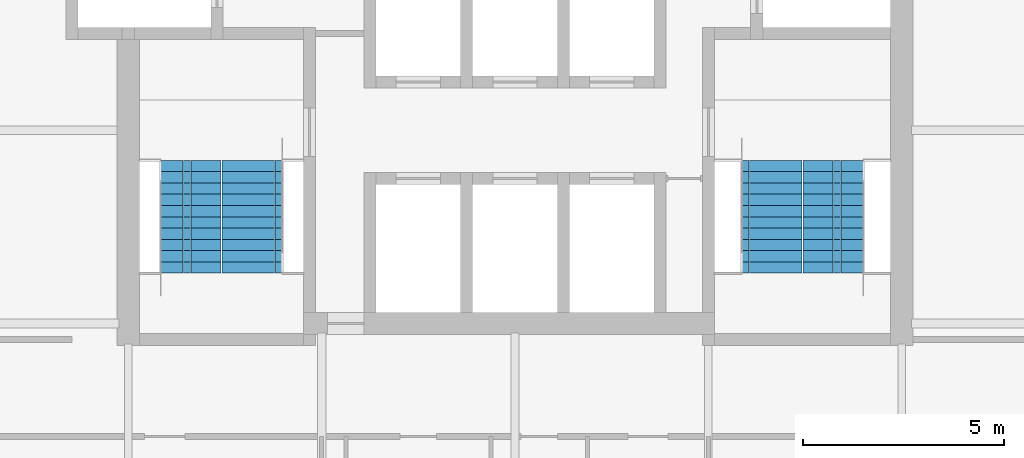
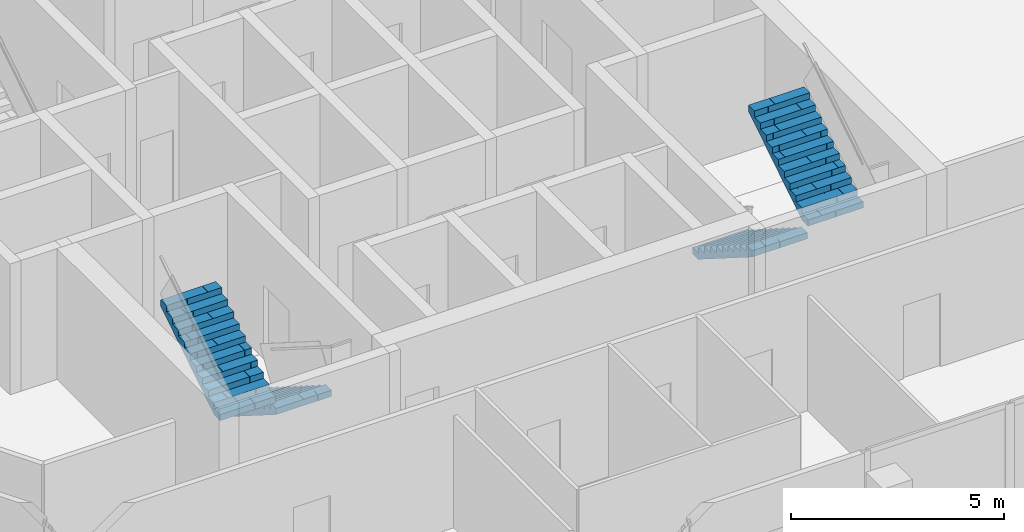
# One storey, part 13 of 16: 4 stair flights, 2 elements without a shape of their own.
"""IFC4 building model written with IfcOpenShell, lengths in metres."""

from ifc_helpers import new_model, si_unit, direction, frame, origin, place, context, subcontext, project, spatial, polyline, outline, extrude, material, type_object, element, aggregate, save


model = new_model("IFC4")

# Units and contexts
model_context = context("Model", 3, precision=1e-05, world=origin(), true_north=direction((0.0, 1.0)))
body_context = subcontext(model_context, "Body", "Model", "MODEL_VIEW")
ifc_project = project(units=[si_unit("LENGTHUNIT", "METRE"), si_unit("AREAUNIT", "SQUARE_METRE"), si_unit("VOLUMEUNIT", "CUBIC_METRE"), si_unit("PLANEANGLEUNIT", "RADIAN"), si_unit("MASSUNIT", "GRAM", prefix="KILO")], contexts=[model_context])

# Site, building, storey
site_placement = place(None, origin())
site = spatial("IfcSite", under=ifc_project, at=site_placement, CompositionType="ELEMENT")
building_placement = place(site_placement, origin())
building = spatial("IfcBuilding", under=site, at=building_placement, Name="Kolab Exchange Tower", CompositionType="ELEMENT")
storey_placement = place(building_placement, frame((0.0, 0.0, 269.60009765625)))
storey = spatial("IfcBuildingStorey", under=building, at=storey_placement, Name="L60", CompositionType="ELEMENT", Elevation=269.60009765625)

# Stair, stair flights
ifc_material = material(Name="Concrete C50/60", Category="concrete")
stair_type_1 = type_object("IfcStairType", Name="STAIR ST3 RISER 177.3", PredefinedType="HALF_TURN_STAIR", material=ifc_material)
stair_1_placement = place(storey_placement, origin())
stair_1 = element("IfcStair", 1, at=stair_1_placement, inside=storey, type_object=stair_type_1, Name="Stair 3", PredefinedType="HALF_TURN_STAIR")
stair_flight_type = type_object("IfcStairFlightType", Name="STAIR FLIGHT 1500 RISER 177.3", PredefinedType="STRAIGHT", material=ifc_material)
stair_flight_1_placement = place(storey_placement, frame((-6.527587890625, -5.550048828125, 0.0), z_axis=(0.0, 0.0, 1.0), x_axis=(0.0, -1.0, 0.0)))
stair_flight_1 = element("IfcStairFlight", 2, at=stair_flight_1_placement, type_object=stair_flight_type, Name="ST3 flight 1", NumberOfRisers=11, NumberOfTreads=10, PredefinedType="STRAIGHT", RiserHeight=0.177272727, TreadLength=0.28, context=body_context, shape_type="SweptSolid", body=[
    extrude(outline(polyline([(0.0, 0.0), (0.0, 0.17724609375), (0.280029296875, 0.17724609375), (0.280029296875, 0.3544921875), (0.56005859375, 0.3544921875), (0.56005859375, 0.53173828125), (0.840087890625, 0.53173828125), (0.840087890625, 0.708984375), (1.1201171875, 0.708984375), (1.1201171875, 0.886474609375), (1.39990234375, 0.886474609375), (1.39990234375, 1.063720703125), (1.679931640625, 1.063720703125), (1.679931640625, 1.240966796875), (1.9599609375, 1.240966796875), (1.9599609375, 1.418212890625), (2.239990234375, 1.418212890625), (2.239990234375, 1.595458984375), (2.52001953125, 1.595458984375), (2.52001953125, 1.772705078125), (2.800048828125, 1.772705078125), (2.800048828125, 1.949951171875), (2.800048828125, 1.59521484375), (0.2802734375, 0.0), (0.0, 0.0)])), frame((0.0, 0.75, 0.0), z_axis=(0.0, -1.0, 0.0), x_axis=(1.0, 0.0, 0.0)), (0.0, 0.0, 1.0), 0.185791015625),
    extrude(outline(polyline([(0.0, 0.0), (0.0, 0.17724609375), (0.280029296875, 0.17724609375), (0.280029296875, 0.3544921875), (0.56005859375, 0.3544921875), (0.56005859375, 0.53173828125), (0.840087890625, 0.53173828125), (0.840087890625, 0.708984375), (1.1201171875, 0.708984375), (1.1201171875, 0.886474609375), (1.39990234375, 0.886474609375), (1.39990234375, 1.063720703125), (1.679931640625, 1.063720703125), (1.679931640625, 1.240966796875), (1.9599609375, 1.240966796875), (1.9599609375, 1.418212890625), (2.239990234375, 1.418212890625), (2.239990234375, 1.595458984375), (2.52001953125, 1.595458984375), (2.52001953125, 1.772705078125), (2.800048828125, 1.772705078125), (2.800048828125, 1.949951171875), (2.800048828125, 1.59521484375), (0.2802734375, 0.0), (0.0, 0.0)])), frame((0.0, 0.562255859375, 0.0), z_axis=(0.0, -1.0, 0.0), x_axis=(1.0, 0.0, 0.0)), (0.0, 0.0, 1.0), 0.185791015625),
    extrude(outline(polyline([(0.0, 0.0), (0.0, 0.17724609375), (0.280029296875, 0.17724609375), (0.280029296875, 0.3544921875), (0.56005859375, 0.3544921875), (0.56005859375, 0.53173828125), (0.840087890625, 0.53173828125), (0.840087890625, 0.708984375), (1.1201171875, 0.708984375), (1.1201171875, 0.886474609375), (1.39990234375, 0.886474609375), (1.39990234375, 1.063720703125), (1.679931640625, 1.063720703125), (1.679931640625, 1.240966796875), (1.9599609375, 1.240966796875), (1.9599609375, 1.418212890625), (2.239990234375, 1.418212890625), (2.239990234375, 1.595458984375), (2.52001953125, 1.595458984375), (2.52001953125, 1.772705078125), (2.800048828125, 1.772705078125), (2.800048828125, 1.949951171875), (2.800048828125, 1.59521484375), (0.2802734375, 0.0), (0.0, 0.0)])), frame((0.0, 0.37451171875, 0.0), z_axis=(0.0, -1.0, 0.0), x_axis=(1.0, 0.0, 0.0)), (0.0, 0.0, 1.0), 0.185791015625),
    extrude(outline(polyline([(0.0, 0.0), (0.0, 0.17724609375), (0.280029296875, 0.17724609375), (0.280029296875, 0.3544921875), (0.56005859375, 0.3544921875), (0.56005859375, 0.53173828125), (0.840087890625, 0.53173828125), (0.840087890625, 0.708984375), (1.1201171875, 0.708984375), (1.1201171875, 0.886474609375), (1.39990234375, 0.886474609375), (1.39990234375, 1.063720703125), (1.679931640625, 1.063720703125), (1.679931640625, 1.240966796875), (1.9599609375, 1.240966796875), (1.9599609375, 1.418212890625), (2.239990234375, 1.418212890625), (2.239990234375, 1.595458984375), (2.52001953125, 1.595458984375), (2.52001953125, 1.772705078125), (2.800048828125, 1.772705078125), (2.800048828125, 1.949951171875), (2.800048828125, 1.59521484375), (0.2802734375, 0.0), (0.0, 0.0)])), frame((0.0, 0.186767578125, 0.0), z_axis=(0.0, -1.0, 0.0), x_axis=(1.0, 0.0, 0.0)), (0.0, 0.0, 1.0), 0.185791015625),
    extrude(outline(polyline([(0.0, 0.0), (0.0, 0.17724609375), (0.280029296875, 0.17724609375), (0.280029296875, 0.3544921875), (0.56005859375, 0.3544921875), (0.56005859375, 0.53173828125), (0.840087890625, 0.53173828125), (0.840087890625, 0.708984375), (1.1201171875, 0.708984375), (1.1201171875, 0.886474609375), (1.39990234375, 0.886474609375), (1.39990234375, 1.063720703125), (1.679931640625, 1.063720703125), (1.679931640625, 1.240966796875), (1.9599609375, 1.240966796875), (1.9599609375, 1.418212890625), (2.239990234375, 1.418212890625), (2.239990234375, 1.595458984375), (2.52001953125, 1.595458984375), (2.52001953125, 1.772705078125), (2.800048828125, 1.772705078125), (2.800048828125, 1.949951171875), (2.800048828125, 1.59521484375), (0.2802734375, 0.0), (0.0, 0.0)])), frame((0.0, -0.0009765625, 0.0), z_axis=(0.0, -1.0, 0.0), x_axis=(1.0, 0.0, 0.0)), (0.0, 0.0, 1.0), 0.185791015625),
    extrude(outline(polyline([(0.0, 0.0), (0.0, 0.17724609375), (0.280029296875, 0.17724609375), (0.280029296875, 0.3544921875), (0.56005859375, 0.3544921875), (0.56005859375, 0.53173828125), (0.840087890625, 0.53173828125), (0.840087890625, 0.708984375), (1.1201171875, 0.708984375), (1.1201171875, 0.886474609375), (1.39990234375, 0.886474609375), (1.39990234375, 1.063720703125), (1.679931640625, 1.063720703125), (1.679931640625, 1.240966796875), (1.9599609375, 1.240966796875), (1.9599609375, 1.418212890625), (2.239990234375, 1.418212890625), (2.239990234375, 1.595458984375), (2.52001953125, 1.595458984375), (2.52001953125, 1.772705078125), (2.800048828125, 1.772705078125), (2.800048828125, 1.949951171875), (2.800048828125, 1.59521484375), (0.2802734375, 0.0), (0.0, 0.0)])), frame((0.0, -0.188720703125, 0.0), z_axis=(0.0, -1.0, 0.0), x_axis=(1.0, 0.0, 0.0)), (0.0, 0.0, 1.0), 0.185791015625),
    extrude(outline(polyline([(0.0, 0.0), (0.0, 0.17724609375), (0.280029296875, 0.17724609375), (0.280029296875, 0.3544921875), (0.56005859375, 0.3544921875), (0.56005859375, 0.53173828125), (0.840087890625, 0.53173828125), (0.840087890625, 0.708984375), (1.1201171875, 0.708984375), (1.1201171875, 0.886474609375), (1.39990234375, 0.886474609375), (1.39990234375, 1.063720703125), (1.679931640625, 1.063720703125), (1.679931640625, 1.240966796875), (1.9599609375, 1.240966796875), (1.9599609375, 1.418212890625), (2.239990234375, 1.418212890625), (2.239990234375, 1.595458984375), (2.52001953125, 1.595458984375), (2.52001953125, 1.772705078125), (2.800048828125, 1.772705078125), (2.800048828125, 1.949951171875), (2.800048828125, 1.59521484375), (0.2802734375, 0.0), (0.0, 0.0)])), frame((0.0, -0.37646484375, 0.0), z_axis=(0.0, -1.0, 0.0), x_axis=(1.0, 0.0, 0.0)), (0.0, 0.0, 1.0), 0.185791015625),
    extrude(outline(polyline([(0.0, 0.0), (0.0, 0.17724609375), (0.280029296875, 0.17724609375), (0.280029296875, 0.3544921875), (0.56005859375, 0.3544921875), (0.56005859375, 0.53173828125), (0.840087890625, 0.53173828125), (0.840087890625, 0.708984375), (1.1201171875, 0.708984375), (1.1201171875, 0.886474609375), (1.39990234375, 0.886474609375), (1.39990234375, 1.063720703125), (1.679931640625, 1.063720703125), (1.679931640625, 1.240966796875), (1.9599609375, 1.240966796875), (1.9599609375, 1.418212890625), (2.239990234375, 1.418212890625), (2.239990234375, 1.595458984375), (2.52001953125, 1.595458984375), (2.52001953125, 1.772705078125), (2.800048828125, 1.772705078125), (2.800048828125, 1.949951171875), (2.800048828125, 1.59521484375), (0.2802734375, 0.0), (0.0, 0.0)])), frame((0.0, -0.564208984375, 0.0), z_axis=(0.0, -1.0, 0.0), x_axis=(1.0, 0.0, 0.0)), (0.0, 0.0, 1.0), 0.185791015625),
])
stair_flight_2_placement = place(storey_placement, frame((-8.047607421875, -8.35009765625, 1.949951171875), z_axis=(0.0, 0.0, 1.0), x_axis=(0.0, 1.0, 0.0)))
stair_flight_2 = element("IfcStairFlight", 3, at=stair_flight_2_placement, type_object=stair_flight_type, Name="ST3 flight 2", NumberOfRisers=11, NumberOfTreads=10, PredefinedType="STRAIGHT", RiserHeight=0.177272727, TreadLength=0.28, context=body_context, shape_type="SweptSolid", body=[
    extrude(outline(polyline([(0.0, 0.0), (0.0, 0.17724609375), (0.280029296875, 0.17724609375), (0.280029296875, 0.3544921875), (0.56005859375, 0.3544921875), (0.56005859375, 0.53173828125), (0.840087890625, 0.53173828125), (0.840087890625, 0.708984375), (1.1201171875, 0.708984375), (1.1201171875, 0.886474609375), (1.39990234375, 0.886474609375), (1.39990234375, 1.063720703125), (1.679931640625, 1.063720703125), (1.679931640625, 1.240966796875), (1.9599609375, 1.240966796875), (1.9599609375, 1.418212890625), (2.239990234375, 1.418212890625), (2.239990234375, 1.595458984375), (2.52001953125, 1.595458984375), (2.52001953125, 1.772705078125), (2.800048828125, 1.772705078125), (2.800048828125, 1.949951171875), (2.800048828125, 1.59521484375), (0.2802734375, 0.0), (0.0, 0.0)])), frame((0.0, 0.75, 0.0), z_axis=(0.0, -1.0, 0.0), x_axis=(1.0, 0.0, 0.0)), (0.0, 0.0, 1.0), 0.185791015625),
    extrude(outline(polyline([(0.0, 0.0), (0.0, 0.17724609375), (0.280029296875, 0.17724609375), (0.280029296875, 0.3544921875), (0.56005859375, 0.3544921875), (0.56005859375, 0.53173828125), (0.840087890625, 0.53173828125), (0.840087890625, 0.708984375), (1.1201171875, 0.708984375), (1.1201171875, 0.886474609375), (1.39990234375, 0.886474609375), (1.39990234375, 1.063720703125), (1.679931640625, 1.063720703125), (1.679931640625, 1.240966796875), (1.9599609375, 1.240966796875), (1.9599609375, 1.418212890625), (2.239990234375, 1.418212890625), (2.239990234375, 1.595458984375), (2.52001953125, 1.595458984375), (2.52001953125, 1.772705078125), (2.800048828125, 1.772705078125), (2.800048828125, 1.949951171875), (2.800048828125, 1.59521484375), (0.2802734375, 0.0), (0.0, 0.0)])), frame((0.0, 0.562255859375, 0.0), z_axis=(0.0, -1.0, 0.0), x_axis=(1.0, 0.0, 0.0)), (0.0, 0.0, 1.0), 0.185791015625),
    extrude(outline(polyline([(0.0, 0.0), (0.0, 0.17724609375), (0.280029296875, 0.17724609375), (0.280029296875, 0.3544921875), (0.56005859375, 0.3544921875), (0.56005859375, 0.53173828125), (0.840087890625, 0.53173828125), (0.840087890625, 0.708984375), (1.1201171875, 0.708984375), (1.1201171875, 0.886474609375), (1.39990234375, 0.886474609375), (1.39990234375, 1.063720703125), (1.679931640625, 1.063720703125), (1.679931640625, 1.240966796875), (1.9599609375, 1.240966796875), (1.9599609375, 1.418212890625), (2.239990234375, 1.418212890625), (2.239990234375, 1.595458984375), (2.52001953125, 1.595458984375), (2.52001953125, 1.772705078125), (2.800048828125, 1.772705078125), (2.800048828125, 1.949951171875), (2.800048828125, 1.59521484375), (0.2802734375, 0.0), (0.0, 0.0)])), frame((0.0, 0.37451171875, 0.0), z_axis=(0.0, -1.0, 0.0), x_axis=(1.0, 0.0, 0.0)), (0.0, 0.0, 1.0), 0.185791015625),
    extrude(outline(polyline([(0.0, 0.0), (0.0, 0.17724609375), (0.280029296875, 0.17724609375), (0.280029296875, 0.3544921875), (0.56005859375, 0.3544921875), (0.56005859375, 0.53173828125), (0.840087890625, 0.53173828125), (0.840087890625, 0.708984375), (1.1201171875, 0.708984375), (1.1201171875, 0.886474609375), (1.39990234375, 0.886474609375), (1.39990234375, 1.063720703125), (1.679931640625, 1.063720703125), (1.679931640625, 1.240966796875), (1.9599609375, 1.240966796875), (1.9599609375, 1.418212890625), (2.239990234375, 1.418212890625), (2.239990234375, 1.595458984375), (2.52001953125, 1.595458984375), (2.52001953125, 1.772705078125), (2.800048828125, 1.772705078125), (2.800048828125, 1.949951171875), (2.800048828125, 1.59521484375), (0.2802734375, 0.0), (0.0, 0.0)])), frame((0.0, 0.186767578125, 0.0), z_axis=(0.0, -1.0, 0.0), x_axis=(1.0, 0.0, 0.0)), (0.0, 0.0, 1.0), 0.185791015625),
    extrude(outline(polyline([(0.0, 0.0), (0.0, 0.17724609375), (0.280029296875, 0.17724609375), (0.280029296875, 0.3544921875), (0.56005859375, 0.3544921875), (0.56005859375, 0.53173828125), (0.840087890625, 0.53173828125), (0.840087890625, 0.708984375), (1.1201171875, 0.708984375), (1.1201171875, 0.886474609375), (1.39990234375, 0.886474609375), (1.39990234375, 1.063720703125), (1.679931640625, 1.063720703125), (1.679931640625, 1.240966796875), (1.9599609375, 1.240966796875), (1.9599609375, 1.418212890625), (2.239990234375, 1.418212890625), (2.239990234375, 1.595458984375), (2.52001953125, 1.595458984375), (2.52001953125, 1.772705078125), (2.800048828125, 1.772705078125), (2.800048828125, 1.949951171875), (2.800048828125, 1.59521484375), (0.2802734375, 0.0), (0.0, 0.0)])), frame((0.0, -0.0009765625, 0.0), z_axis=(0.0, -1.0, 0.0), x_axis=(1.0, 0.0, 0.0)), (0.0, 0.0, 1.0), 0.185791015625),
    extrude(outline(polyline([(0.0, 0.0), (0.0, 0.17724609375), (0.280029296875, 0.17724609375), (0.280029296875, 0.3544921875), (0.56005859375, 0.3544921875), (0.56005859375, 0.53173828125), (0.840087890625, 0.53173828125), (0.840087890625, 0.708984375), (1.1201171875, 0.708984375), (1.1201171875, 0.886474609375), (1.39990234375, 0.886474609375), (1.39990234375, 1.063720703125), (1.679931640625, 1.063720703125), (1.679931640625, 1.240966796875), (1.9599609375, 1.240966796875), (1.9599609375, 1.418212890625), (2.239990234375, 1.418212890625), (2.239990234375, 1.595458984375), (2.52001953125, 1.595458984375), (2.52001953125, 1.772705078125), (2.800048828125, 1.772705078125), (2.800048828125, 1.949951171875), (2.800048828125, 1.59521484375), (0.2802734375, 0.0), (0.0, 0.0)])), frame((0.0, -0.188720703125, 0.0), z_axis=(0.0, -1.0, 0.0), x_axis=(1.0, 0.0, 0.0)), (0.0, 0.0, 1.0), 0.185791015625),
    extrude(outline(polyline([(0.0, 0.0), (0.0, 0.17724609375), (0.280029296875, 0.17724609375), (0.280029296875, 0.3544921875), (0.56005859375, 0.3544921875), (0.56005859375, 0.53173828125), (0.840087890625, 0.53173828125), (0.840087890625, 0.708984375), (1.1201171875, 0.708984375), (1.1201171875, 0.886474609375), (1.39990234375, 0.886474609375), (1.39990234375, 1.063720703125), (1.679931640625, 1.063720703125), (1.679931640625, 1.240966796875), (1.9599609375, 1.240966796875), (1.9599609375, 1.418212890625), (2.239990234375, 1.418212890625), (2.239990234375, 1.595458984375), (2.52001953125, 1.595458984375), (2.52001953125, 1.772705078125), (2.800048828125, 1.772705078125), (2.800048828125, 1.949951171875), (2.800048828125, 1.59521484375), (0.2802734375, 0.0), (0.0, 0.0)])), frame((0.0, -0.37646484375, 0.0), z_axis=(0.0, -1.0, 0.0), x_axis=(1.0, 0.0, 0.0)), (0.0, 0.0, 1.0), 0.185791015625),
    extrude(outline(polyline([(0.0, 0.0), (0.0, 0.17724609375), (0.280029296875, 0.17724609375), (0.280029296875, 0.3544921875), (0.56005859375, 0.3544921875), (0.56005859375, 0.53173828125), (0.840087890625, 0.53173828125), (0.840087890625, 0.708984375), (1.1201171875, 0.708984375), (1.1201171875, 0.886474609375), (1.39990234375, 0.886474609375), (1.39990234375, 1.063720703125), (1.679931640625, 1.063720703125), (1.679931640625, 1.240966796875), (1.9599609375, 1.240966796875), (1.9599609375, 1.418212890625), (2.239990234375, 1.418212890625), (2.239990234375, 1.595458984375), (2.52001953125, 1.595458984375), (2.52001953125, 1.772705078125), (2.800048828125, 1.772705078125), (2.800048828125, 1.949951171875), (2.800048828125, 1.59521484375), (0.2802734375, 0.0), (0.0, 0.0)])), frame((0.0, -0.564208984375, 0.0), z_axis=(0.0, -1.0, 0.0), x_axis=(1.0, 0.0, 0.0)), (0.0, 0.0, 1.0), 0.185791015625),
])
aggregate(stair_1, [stair_flight_1, stair_flight_2])

stair_type_2 = type_object("IfcStairType", Name="STAIR ST2 RISER 177.3", PredefinedType="HALF_TURN_STAIR", material=ifc_material)
stair_2_placement = place(storey_placement, origin())
stair_2 = element("IfcStair", 4, at=stair_2_placement, inside=storey, type_object=stair_type_2, Name="Stair 2", PredefinedType="HALF_TURN_STAIR")
stair_flight_3_placement = place(storey_placement, frame((6.37744140625, -5.550048828125, 0.0), z_axis=(0.0, 0.0, 1.0), x_axis=(0.0, -1.0, 0.0)))
stair_flight_3 = element("IfcStairFlight", 5, at=stair_flight_3_placement, type_object=stair_flight_type, Name="ST2 flight 1", NumberOfRisers=11, NumberOfTreads=10, PredefinedType="STRAIGHT", RiserHeight=0.177272727, TreadLength=0.28, context=body_context, shape_type="SweptSolid", body=[
    extrude(outline(polyline([(0.0, 0.0), (0.0, 0.17724609375), (0.280029296875, 0.17724609375), (0.280029296875, 0.3544921875), (0.56005859375, 0.3544921875), (0.56005859375, 0.53173828125), (0.840087890625, 0.53173828125), (0.840087890625, 0.708984375), (1.1201171875, 0.708984375), (1.1201171875, 0.886474609375), (1.39990234375, 0.886474609375), (1.39990234375, 1.063720703125), (1.679931640625, 1.063720703125), (1.679931640625, 1.240966796875), (1.9599609375, 1.240966796875), (1.9599609375, 1.418212890625), (2.239990234375, 1.418212890625), (2.239990234375, 1.595458984375), (2.52001953125, 1.595458984375), (2.52001953125, 1.772705078125), (2.800048828125, 1.772705078125), (2.800048828125, 1.949951171875), (2.800048828125, 1.59521484375), (0.2802734375, 0.0), (0.0, 0.0)])), frame((0.0, 0.75, 0.0), z_axis=(0.0, -1.0, 0.0), x_axis=(1.0, 0.0, 0.0)), (0.0, 0.0, 1.0), 0.185791015625),
    extrude(outline(polyline([(0.0, 0.0), (0.0, 0.17724609375), (0.280029296875, 0.17724609375), (0.280029296875, 0.3544921875), (0.56005859375, 0.3544921875), (0.56005859375, 0.53173828125), (0.840087890625, 0.53173828125), (0.840087890625, 0.708984375), (1.1201171875, 0.708984375), (1.1201171875, 0.886474609375), (1.39990234375, 0.886474609375), (1.39990234375, 1.063720703125), (1.679931640625, 1.063720703125), (1.679931640625, 1.240966796875), (1.9599609375, 1.240966796875), (1.9599609375, 1.418212890625), (2.239990234375, 1.418212890625), (2.239990234375, 1.595458984375), (2.52001953125, 1.595458984375), (2.52001953125, 1.772705078125), (2.800048828125, 1.772705078125), (2.800048828125, 1.949951171875), (2.800048828125, 1.59521484375), (0.2802734375, 0.0), (0.0, 0.0)])), frame((0.0, 0.562255859375, 0.0), z_axis=(0.0, -1.0, 0.0), x_axis=(1.0, 0.0, 0.0)), (0.0, 0.0, 1.0), 0.185791015625),
    extrude(outline(polyline([(0.0, 0.0), (0.0, 0.17724609375), (0.280029296875, 0.17724609375), (0.280029296875, 0.3544921875), (0.56005859375, 0.3544921875), (0.56005859375, 0.53173828125), (0.840087890625, 0.53173828125), (0.840087890625, 0.708984375), (1.1201171875, 0.708984375), (1.1201171875, 0.886474609375), (1.39990234375, 0.886474609375), (1.39990234375, 1.063720703125), (1.679931640625, 1.063720703125), (1.679931640625, 1.240966796875), (1.9599609375, 1.240966796875), (1.9599609375, 1.418212890625), (2.239990234375, 1.418212890625), (2.239990234375, 1.595458984375), (2.52001953125, 1.595458984375), (2.52001953125, 1.772705078125), (2.800048828125, 1.772705078125), (2.800048828125, 1.949951171875), (2.800048828125, 1.59521484375), (0.2802734375, 0.0), (0.0, 0.0)])), frame((0.0, 0.37451171875, 0.0), z_axis=(0.0, -1.0, 0.0), x_axis=(1.0, 0.0, 0.0)), (0.0, 0.0, 1.0), 0.185791015625),
    extrude(outline(polyline([(0.0, 0.0), (0.0, 0.17724609375), (0.280029296875, 0.17724609375), (0.280029296875, 0.3544921875), (0.56005859375, 0.3544921875), (0.56005859375, 0.53173828125), (0.840087890625, 0.53173828125), (0.840087890625, 0.708984375), (1.1201171875, 0.708984375), (1.1201171875, 0.886474609375), (1.39990234375, 0.886474609375), (1.39990234375, 1.063720703125), (1.679931640625, 1.063720703125), (1.679931640625, 1.240966796875), (1.9599609375, 1.240966796875), (1.9599609375, 1.418212890625), (2.239990234375, 1.418212890625), (2.239990234375, 1.595458984375), (2.52001953125, 1.595458984375), (2.52001953125, 1.772705078125), (2.800048828125, 1.772705078125), (2.800048828125, 1.949951171875), (2.800048828125, 1.59521484375), (0.2802734375, 0.0), (0.0, 0.0)])), frame((0.0, 0.186767578125, 0.0), z_axis=(0.0, -1.0, 0.0), x_axis=(1.0, 0.0, 0.0)), (0.0, 0.0, 1.0), 0.185791015625),
    extrude(outline(polyline([(0.0, 0.0), (0.0, 0.17724609375), (0.280029296875, 0.17724609375), (0.280029296875, 0.3544921875), (0.56005859375, 0.3544921875), (0.56005859375, 0.53173828125), (0.840087890625, 0.53173828125), (0.840087890625, 0.708984375), (1.1201171875, 0.708984375), (1.1201171875, 0.886474609375), (1.39990234375, 0.886474609375), (1.39990234375, 1.063720703125), (1.679931640625, 1.063720703125), (1.679931640625, 1.240966796875), (1.9599609375, 1.240966796875), (1.9599609375, 1.418212890625), (2.239990234375, 1.418212890625), (2.239990234375, 1.595458984375), (2.52001953125, 1.595458984375), (2.52001953125, 1.772705078125), (2.800048828125, 1.772705078125), (2.800048828125, 1.949951171875), (2.800048828125, 1.59521484375), (0.2802734375, 0.0), (0.0, 0.0)])), frame((0.0, -0.0009765625, 0.0), z_axis=(0.0, -1.0, 0.0), x_axis=(1.0, 0.0, 0.0)), (0.0, 0.0, 1.0), 0.185791015625),
    extrude(outline(polyline([(0.0, 0.0), (0.0, 0.17724609375), (0.280029296875, 0.17724609375), (0.280029296875, 0.3544921875), (0.56005859375, 0.3544921875), (0.56005859375, 0.53173828125), (0.840087890625, 0.53173828125), (0.840087890625, 0.708984375), (1.1201171875, 0.708984375), (1.1201171875, 0.886474609375), (1.39990234375, 0.886474609375), (1.39990234375, 1.063720703125), (1.679931640625, 1.063720703125), (1.679931640625, 1.240966796875), (1.9599609375, 1.240966796875), (1.9599609375, 1.418212890625), (2.239990234375, 1.418212890625), (2.239990234375, 1.595458984375), (2.52001953125, 1.595458984375), (2.52001953125, 1.772705078125), (2.800048828125, 1.772705078125), (2.800048828125, 1.949951171875), (2.800048828125, 1.59521484375), (0.2802734375, 0.0), (0.0, 0.0)])), frame((0.0, -0.188720703125, 0.0), z_axis=(0.0, -1.0, 0.0), x_axis=(1.0, 0.0, 0.0)), (0.0, 0.0, 1.0), 0.185791015625),
    extrude(outline(polyline([(0.0, 0.0), (0.0, 0.17724609375), (0.280029296875, 0.17724609375), (0.280029296875, 0.3544921875), (0.56005859375, 0.3544921875), (0.56005859375, 0.53173828125), (0.840087890625, 0.53173828125), (0.840087890625, 0.708984375), (1.1201171875, 0.708984375), (1.1201171875, 0.886474609375), (1.39990234375, 0.886474609375), (1.39990234375, 1.063720703125), (1.679931640625, 1.063720703125), (1.679931640625, 1.240966796875), (1.9599609375, 1.240966796875), (1.9599609375, 1.418212890625), (2.239990234375, 1.418212890625), (2.239990234375, 1.595458984375), (2.52001953125, 1.595458984375), (2.52001953125, 1.772705078125), (2.800048828125, 1.772705078125), (2.800048828125, 1.949951171875), (2.800048828125, 1.59521484375), (0.2802734375, 0.0), (0.0, 0.0)])), frame((0.0, -0.37646484375, 0.0), z_axis=(0.0, -1.0, 0.0), x_axis=(1.0, 0.0, 0.0)), (0.0, 0.0, 1.0), 0.185791015625),
    extrude(outline(polyline([(0.0, 0.0), (0.0, 0.17724609375), (0.280029296875, 0.17724609375), (0.280029296875, 0.3544921875), (0.56005859375, 0.3544921875), (0.56005859375, 0.53173828125), (0.840087890625, 0.53173828125), (0.840087890625, 0.708984375), (1.1201171875, 0.708984375), (1.1201171875, 0.886474609375), (1.39990234375, 0.886474609375), (1.39990234375, 1.063720703125), (1.679931640625, 1.063720703125), (1.679931640625, 1.240966796875), (1.9599609375, 1.240966796875), (1.9599609375, 1.418212890625), (2.239990234375, 1.418212890625), (2.239990234375, 1.595458984375), (2.52001953125, 1.595458984375), (2.52001953125, 1.772705078125), (2.800048828125, 1.772705078125), (2.800048828125, 1.949951171875), (2.800048828125, 1.59521484375), (0.2802734375, 0.0), (0.0, 0.0)])), frame((0.0, -0.564208984375, 0.0), z_axis=(0.0, -1.0, 0.0), x_axis=(1.0, 0.0, 0.0)), (0.0, 0.0, 1.0), 0.185791015625),
])
stair_flight_4_placement = place(storey_placement, frame((7.8974609375, -8.35009765625, 1.949951171875), z_axis=(0.0, 0.0, 1.0), x_axis=(0.0, 1.0, 0.0)))
stair_flight_4 = element("IfcStairFlight", 6, at=stair_flight_4_placement, type_object=stair_flight_type, Name="ST2 flight 2", NumberOfRisers=11, NumberOfTreads=10, PredefinedType="STRAIGHT", RiserHeight=0.177272727, TreadLength=0.28, context=body_context, shape_type="SweptSolid", body=[
    extrude(outline(polyline([(0.0, 0.0), (0.0, 0.17724609375), (0.280029296875, 0.17724609375), (0.280029296875, 0.3544921875), (0.56005859375, 0.3544921875), (0.56005859375, 0.53173828125), (0.840087890625, 0.53173828125), (0.840087890625, 0.708984375), (1.1201171875, 0.708984375), (1.1201171875, 0.886474609375), (1.39990234375, 0.886474609375), (1.39990234375, 1.063720703125), (1.679931640625, 1.063720703125), (1.679931640625, 1.240966796875), (1.9599609375, 1.240966796875), (1.9599609375, 1.418212890625), (2.239990234375, 1.418212890625), (2.239990234375, 1.595458984375), (2.52001953125, 1.595458984375), (2.52001953125, 1.772705078125), (2.800048828125, 1.772705078125), (2.800048828125, 1.949951171875), (2.800048828125, 1.59521484375), (0.2802734375, 0.0), (0.0, 0.0)])), frame((0.0, 0.75, 0.0), z_axis=(0.0, -1.0, 0.0), x_axis=(1.0, 0.0, 0.0)), (0.0, 0.0, 1.0), 0.185791015625),
    extrude(outline(polyline([(0.0, 0.0), (0.0, 0.17724609375), (0.280029296875, 0.17724609375), (0.280029296875, 0.3544921875), (0.56005859375, 0.3544921875), (0.56005859375, 0.53173828125), (0.840087890625, 0.53173828125), (0.840087890625, 0.708984375), (1.1201171875, 0.708984375), (1.1201171875, 0.886474609375), (1.39990234375, 0.886474609375), (1.39990234375, 1.063720703125), (1.679931640625, 1.063720703125), (1.679931640625, 1.240966796875), (1.9599609375, 1.240966796875), (1.9599609375, 1.418212890625), (2.239990234375, 1.418212890625), (2.239990234375, 1.595458984375), (2.52001953125, 1.595458984375), (2.52001953125, 1.772705078125), (2.800048828125, 1.772705078125), (2.800048828125, 1.949951171875), (2.800048828125, 1.59521484375), (0.2802734375, 0.0), (0.0, 0.0)])), frame((0.0, 0.562255859375, 0.0), z_axis=(0.0, -1.0, 0.0), x_axis=(1.0, 0.0, 0.0)), (0.0, 0.0, 1.0), 0.185791015625),
    extrude(outline(polyline([(0.0, 0.0), (0.0, 0.17724609375), (0.280029296875, 0.17724609375), (0.280029296875, 0.3544921875), (0.56005859375, 0.3544921875), (0.56005859375, 0.53173828125), (0.840087890625, 0.53173828125), (0.840087890625, 0.708984375), (1.1201171875, 0.708984375), (1.1201171875, 0.886474609375), (1.39990234375, 0.886474609375), (1.39990234375, 1.063720703125), (1.679931640625, 1.063720703125), (1.679931640625, 1.240966796875), (1.9599609375, 1.240966796875), (1.9599609375, 1.418212890625), (2.239990234375, 1.418212890625), (2.239990234375, 1.595458984375), (2.52001953125, 1.595458984375), (2.52001953125, 1.772705078125), (2.800048828125, 1.772705078125), (2.800048828125, 1.949951171875), (2.800048828125, 1.59521484375), (0.2802734375, 0.0), (0.0, 0.0)])), frame((0.0, 0.37451171875, 0.0), z_axis=(0.0, -1.0, 0.0), x_axis=(1.0, 0.0, 0.0)), (0.0, 0.0, 1.0), 0.185791015625),
    extrude(outline(polyline([(0.0, 0.0), (0.0, 0.17724609375), (0.280029296875, 0.17724609375), (0.280029296875, 0.3544921875), (0.56005859375, 0.3544921875), (0.56005859375, 0.53173828125), (0.840087890625, 0.53173828125), (0.840087890625, 0.708984375), (1.1201171875, 0.708984375), (1.1201171875, 0.886474609375), (1.39990234375, 0.886474609375), (1.39990234375, 1.063720703125), (1.679931640625, 1.063720703125), (1.679931640625, 1.240966796875), (1.9599609375, 1.240966796875), (1.9599609375, 1.418212890625), (2.239990234375, 1.418212890625), (2.239990234375, 1.595458984375), (2.52001953125, 1.595458984375), (2.52001953125, 1.772705078125), (2.800048828125, 1.772705078125), (2.800048828125, 1.949951171875), (2.800048828125, 1.59521484375), (0.2802734375, 0.0), (0.0, 0.0)])), frame((0.0, 0.186767578125, 0.0), z_axis=(0.0, -1.0, 0.0), x_axis=(1.0, 0.0, 0.0)), (0.0, 0.0, 1.0), 0.185791015625),
    extrude(outline(polyline([(0.0, 0.0), (0.0, 0.17724609375), (0.280029296875, 0.17724609375), (0.280029296875, 0.3544921875), (0.56005859375, 0.3544921875), (0.56005859375, 0.53173828125), (0.840087890625, 0.53173828125), (0.840087890625, 0.708984375), (1.1201171875, 0.708984375), (1.1201171875, 0.886474609375), (1.39990234375, 0.886474609375), (1.39990234375, 1.063720703125), (1.679931640625, 1.063720703125), (1.679931640625, 1.240966796875), (1.9599609375, 1.240966796875), (1.9599609375, 1.418212890625), (2.239990234375, 1.418212890625), (2.239990234375, 1.595458984375), (2.52001953125, 1.595458984375), (2.52001953125, 1.772705078125), (2.800048828125, 1.772705078125), (2.800048828125, 1.949951171875), (2.800048828125, 1.59521484375), (0.2802734375, 0.0), (0.0, 0.0)])), frame((0.0, -0.0009765625, 0.0), z_axis=(0.0, -1.0, 0.0), x_axis=(1.0, 0.0, 0.0)), (0.0, 0.0, 1.0), 0.185791015625),
    extrude(outline(polyline([(0.0, 0.0), (0.0, 0.17724609375), (0.280029296875, 0.17724609375), (0.280029296875, 0.3544921875), (0.56005859375, 0.3544921875), (0.56005859375, 0.53173828125), (0.840087890625, 0.53173828125), (0.840087890625, 0.708984375), (1.1201171875, 0.708984375), (1.1201171875, 0.886474609375), (1.39990234375, 0.886474609375), (1.39990234375, 1.063720703125), (1.679931640625, 1.063720703125), (1.679931640625, 1.240966796875), (1.9599609375, 1.240966796875), (1.9599609375, 1.418212890625), (2.239990234375, 1.418212890625), (2.239990234375, 1.595458984375), (2.52001953125, 1.595458984375), (2.52001953125, 1.772705078125), (2.800048828125, 1.772705078125), (2.800048828125, 1.949951171875), (2.800048828125, 1.59521484375), (0.2802734375, 0.0), (0.0, 0.0)])), frame((0.0, -0.188720703125, 0.0), z_axis=(0.0, -1.0, 0.0), x_axis=(1.0, 0.0, 0.0)), (0.0, 0.0, 1.0), 0.185791015625),
    extrude(outline(polyline([(0.0, 0.0), (0.0, 0.17724609375), (0.280029296875, 0.17724609375), (0.280029296875, 0.3544921875), (0.56005859375, 0.3544921875), (0.56005859375, 0.53173828125), (0.840087890625, 0.53173828125), (0.840087890625, 0.708984375), (1.1201171875, 0.708984375), (1.1201171875, 0.886474609375), (1.39990234375, 0.886474609375), (1.39990234375, 1.063720703125), (1.679931640625, 1.063720703125), (1.679931640625, 1.240966796875), (1.9599609375, 1.240966796875), (1.9599609375, 1.418212890625), (2.239990234375, 1.418212890625), (2.239990234375, 1.595458984375), (2.52001953125, 1.595458984375), (2.52001953125, 1.772705078125), (2.800048828125, 1.772705078125), (2.800048828125, 1.949951171875), (2.800048828125, 1.59521484375), (0.2802734375, 0.0), (0.0, 0.0)])), frame((0.0, -0.37646484375, 0.0), z_axis=(0.0, -1.0, 0.0), x_axis=(1.0, 0.0, 0.0)), (0.0, 0.0, 1.0), 0.185791015625),
    extrude(outline(polyline([(0.0, 0.0), (0.0, 0.17724609375), (0.280029296875, 0.17724609375), (0.280029296875, 0.3544921875), (0.56005859375, 0.3544921875), (0.56005859375, 0.53173828125), (0.840087890625, 0.53173828125), (0.840087890625, 0.708984375), (1.1201171875, 0.708984375), (1.1201171875, 0.886474609375), (1.39990234375, 0.886474609375), (1.39990234375, 1.063720703125), (1.679931640625, 1.063720703125), (1.679931640625, 1.240966796875), (1.9599609375, 1.240966796875), (1.9599609375, 1.418212890625), (2.239990234375, 1.418212890625), (2.239990234375, 1.595458984375), (2.52001953125, 1.595458984375), (2.52001953125, 1.772705078125), (2.800048828125, 1.772705078125), (2.800048828125, 1.949951171875), (2.800048828125, 1.59521484375), (0.2802734375, 0.0), (0.0, 0.0)])), frame((0.0, -0.564208984375, 0.0), z_axis=(0.0, -1.0, 0.0), x_axis=(1.0, 0.0, 0.0)), (0.0, 0.0, 1.0), 0.185791015625),
])
aggregate(stair_2, [stair_flight_3, stair_flight_4])

save(model, "model.ifc")
